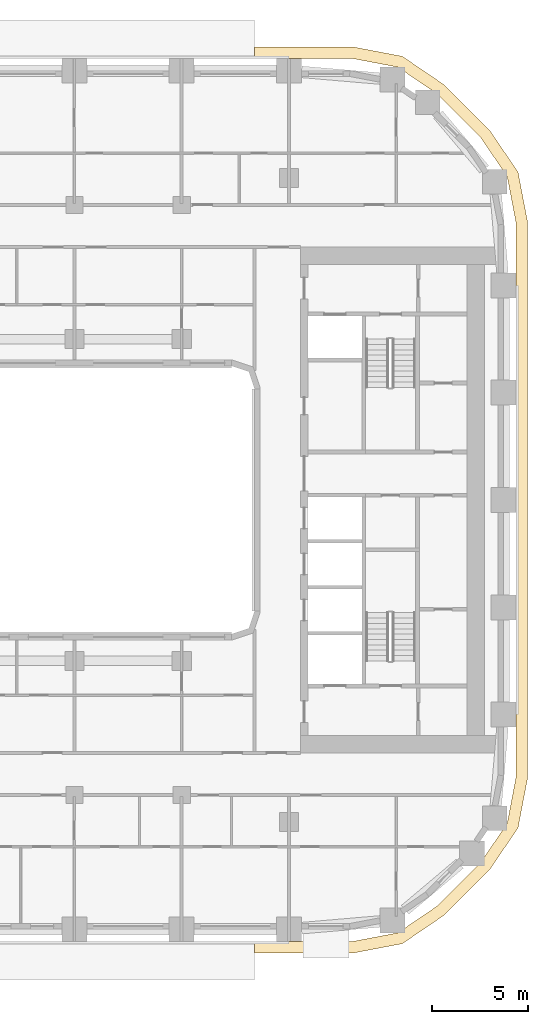
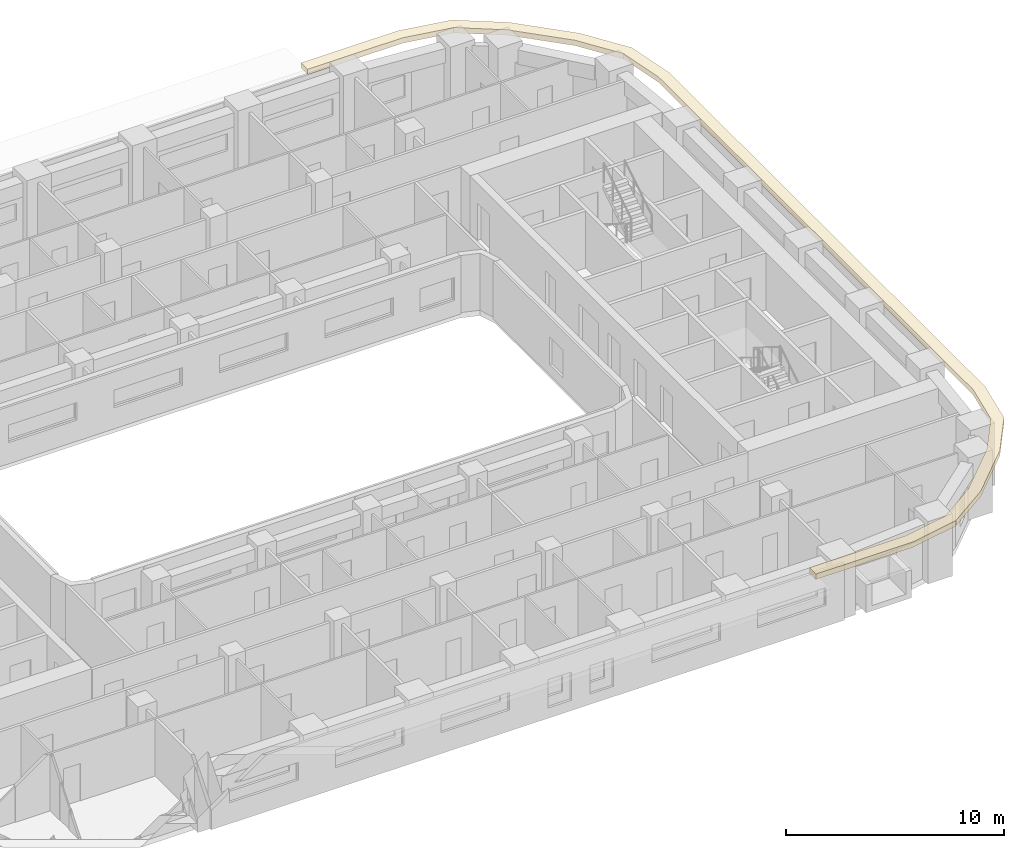
# One storey, part 18 of 22: 1 covering.
"""IFC4 building model written with IfcOpenShell, lengths in metres."""

from ifc_helpers import new_model, si_unit, direction, frame, origin, place, context, subcontext, project, spatial, polyline, outline, extrude, material, layer, layer_set, type_object, element, save


model = new_model("IFC4")

# Units and contexts
model_context = context("Model", 3, precision=1e-05, world=origin(), true_north=direction((0.0, 1.0)))
body_context = subcontext(model_context, "Body", "Model", "MODEL_VIEW")
ifc_project = project(units=[si_unit("LENGTHUNIT", "METRE"), si_unit("AREAUNIT", "SQUARE_METRE"), si_unit("VOLUMEUNIT", "CUBIC_METRE"), si_unit("PLANEANGLEUNIT", "RADIAN"), si_unit("MASSUNIT", "GRAM", prefix="KILO")], contexts=[model_context])

# Site, building, storey
site_placement = place(None, origin())
site = spatial("IfcSite", under=ifc_project, at=site_placement, CompositionType="ELEMENT")
building_placement = place(site_placement, origin())
building = spatial("IfcBuilding", under=site, at=building_placement, Name="Kiln Ring Residences", CompositionType="ELEMENT")
storey_placement = place(building_placement, frame((0.0, 0.0, 97.300048828125)))
storey = spatial("IfcBuildingStorey", under=building, at=storey_placement, Name="L24", CompositionType="ELEMENT", Elevation=97.300048828125)

# Covering
ifc_material = material(Name="Black powder-coated steel", Category="steel")
ifc_layer = layer(ifc_material, 0.300048828125)
ifc_layer_set = layer_set([ifc_layer], Name="SUNSHADE FIN 600")
covering_type = type_object("IfcCoveringType", Name="SUNSHADE FIN 600", PredefinedType="CLADDING", material=ifc_layer_set)
covering_placement = place(storey_placement, frame((0.0, 0.0, 3.199951171875)))
element("IfcCovering", 1, at=covering_placement, inside=storey, type_object=covering_type, Name="SUNSHADE FIN L24", PredefinedType="CLADDING", context=body_context, shape_type="SweptSolid", body=[
    extrude(outline(polyline([(20.1181640625, 23.64990234375), (15.0, 23.64990234375), (15.0, 23.050048828125), (20.061279296875, 23.050048828125), (22.478271484375, 22.589111328125), (24.51318359375, 21.2060546875), (26.805908203125, 18.9130859375), (28.18896484375, 16.87841796875), (28.64990234375, 14.46142578125), (28.64990234375, -14.46142578125), (28.18896484375, -16.87841796875), (26.805908203125, -18.9130859375), (24.51318359375, -21.2060546875), (22.478271484375, -22.589111328125), (20.061279296875, -23.050048828125), (15.0, -23.050048828125), (15.0, -23.64990234375), (20.1181640625, -23.64990234375), (22.712890625, -23.155029296875), (24.8974609375, -21.67041015625), (27.2705078125, -19.29736328125), (28.755126953125, -17.11279296875), (29.25, -14.51806640625), (29.25, 14.51806640625), (28.755126953125, 17.11279296875), (27.2705078125, 19.29736328125), (24.8974609375, 21.67041015625), (22.712890625, 23.155029296875), (20.1181640625, 23.64990234375)])), origin(), (0.0, 0.0, 1.0), 0.300048828125),
])

save(model, "model.ifc")
